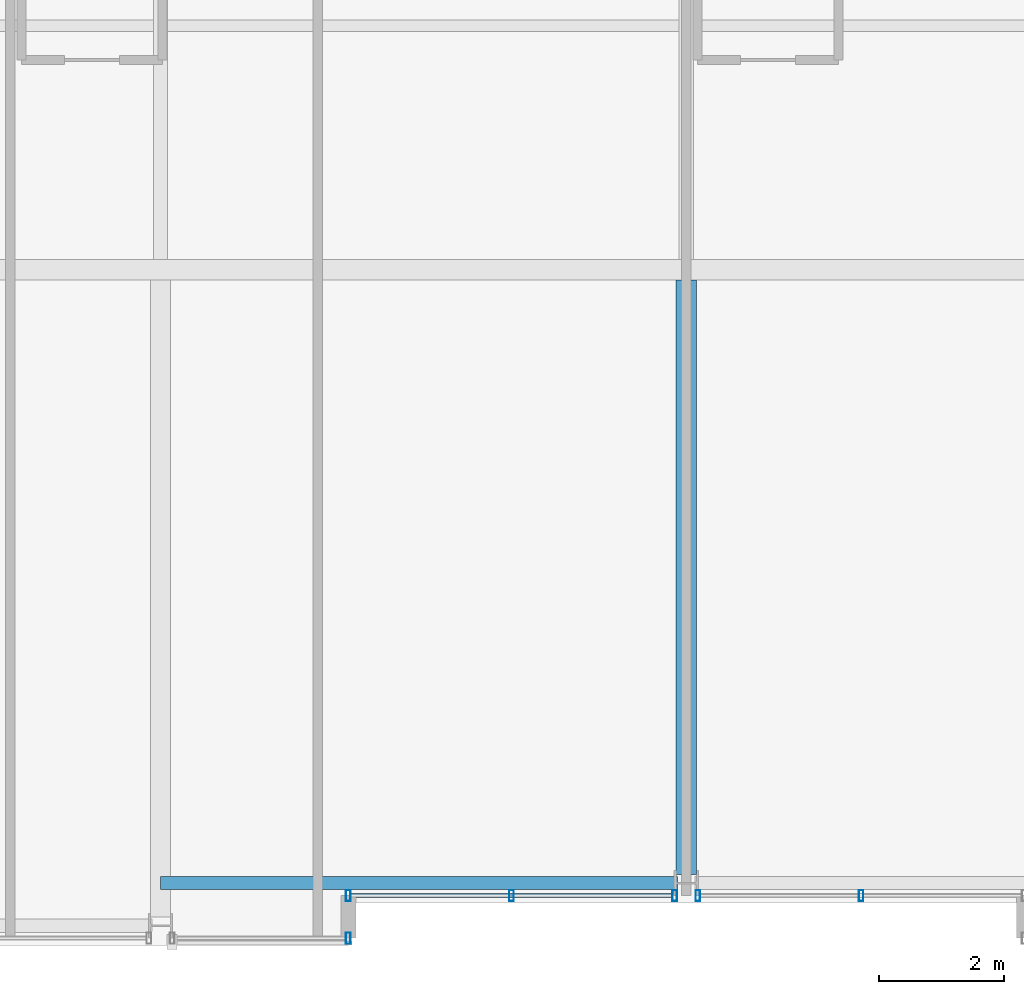
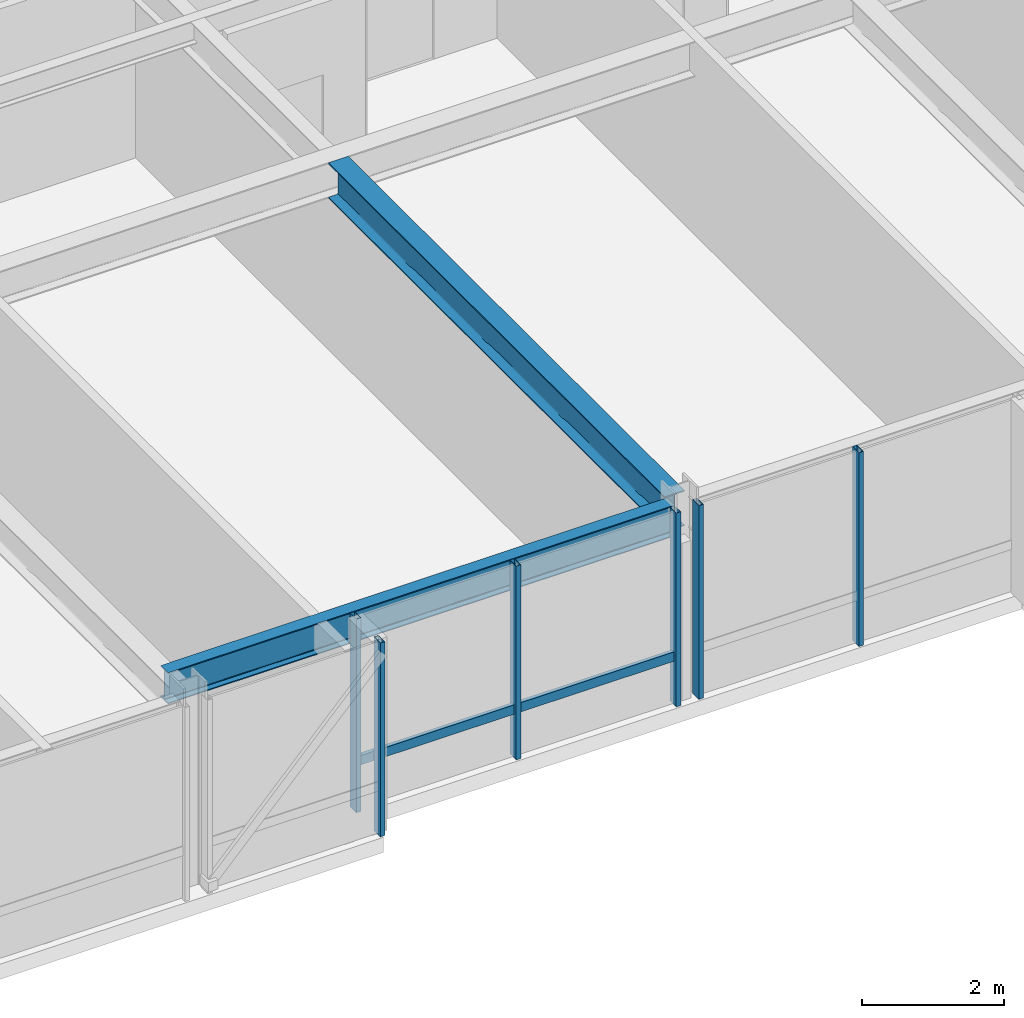
# One storey, part 6 of 34: 7 members, 2 beams, 3 elements without a shape of their own.
"""IFC4 building model written with IfcOpenShell, lengths in metres."""

from ifc_helpers import new_model, si_unit, direction, frame, origin, origin_2d, place, context, subcontext, project, spatial, hollow_rectangle, i_section, extrude, material, layer, layer_set, material_profile, profile_set, type_object, element, aggregate, save


model = new_model("IFC4")

# Units and contexts
model_context = context("Model", 3, precision=1e-05, world=origin(), true_north=direction((0.0, 1.0)))
body_context = subcontext(model_context, "Body", "Model", "MODEL_VIEW")
ifc_project = project(units=[si_unit("LENGTHUNIT", "METRE"), si_unit("AREAUNIT", "SQUARE_METRE"), si_unit("VOLUMEUNIT", "CUBIC_METRE"), si_unit("PLANEANGLEUNIT", "RADIAN"), si_unit("MASSUNIT", "GRAM", prefix="KILO")], contexts=[model_context])

# Site, building, storey
site_placement = place(None, origin())
site = spatial("IfcSite", under=ifc_project, at=site_placement, CompositionType="ELEMENT")
building_placement = place(site_placement, origin())
building = spatial("IfcBuilding", under=site, at=building_placement, Name="Drelvath Grand Hotel", CompositionType="ELEMENT")
storey_placement = place(building_placement, frame((0.0, 0.0, 208.699951171875)))
storey = spatial("IfcBuildingStorey", under=building, at=storey_placement, Name="L54", CompositionType="ELEMENT", Elevation=208.699951171875)

# Curtain wall, members
ifc_material_1 = material(Name="Platinum-Mist Anodised Aluminium Frame", Category="aluminium")
ifc_layer = layer(ifc_material_1, 0.199951171875)
ifc_layer_set = layer_set([ifc_layer], Name="Platinum-Mist Anodised Aluminium Frame")
curtain_wall_type = type_object("IfcCurtainWallType", Name="Stick Curtain Wall CW-05 Platinum Mist High-Rise", PredefinedType="NOTDEFINED", material=ifc_layer_set)
curtain_wall_1_placement = place(storey_placement, origin())
curtain_wall_1 = element("IfcCurtainWall", 1, at=curtain_wall_1_placement, inside=storey, type_object=curtain_wall_type, Name="L54 CW-05 Curtain Wall CW05-L54-SM1", PredefinedType="NOTDEFINED")
ifc_material_profile_1 = material_profile(ifc_material_1, hollow_rectangle(XDim=0.06494140625, YDim=0.159912109375, WallThickness=0.00390625, at=origin_2d()), Name="HSS160X65X4")
ifc_profile_set_1 = profile_set([ifc_material_profile_1], Name="Platinum-Mist Anodised Aluminium Frame")
member_type_1 = type_object("IfcMemberType", Name="Curtain Wall Horizontal Transom CW-05 HSS160X65X4", PredefinedType="USERDEFINED", material=ifc_profile_set_1)
member_1_placement = place(storey_placement, frame((-0.225341796875, 0.800048828125, 0.8349609375), z_axis=(-1.0, 0.0, 0.0), x_axis=(0.0, -1.0, 0.0)))
member_1 = element("IfcMember", 2, at=member_1_placement, type_object=member_type_1, Name="CW05-L54-SM1 Sill Transom", ObjectType="TRANSOM", PredefinedType="USERDEFINED", context=body_context, shape_type="SweptSolid", body=[
    extrude(hollow_rectangle(XDim=0.06494140625, YDim=0.159912109375, WallThickness=0.00390625, at=origin_2d()), origin(), (0.0, 0.0, 1.0), 5.134765625),
])
ifc_material_profile_2 = material_profile(ifc_material_1, hollow_rectangle(XDim=0.074951171875, YDim=0.179931640625, WallThickness=0.0048828125, at=origin_2d()), Name="HSS180X75X5")
ifc_profile_set_2 = profile_set([ifc_material_profile_2], Name="Platinum-Mist Anodised Aluminium Frame")
member_type_2 = type_object("IfcMemberType", Name="Curtain Wall Vertical Mullion CW-05 HSS180X75X5", PredefinedType="MULLION", material=ifc_profile_set_2)
member_2_placement = place(storey_placement, frame((-0.185302734375, 0.800048828125, 0.0), z_axis=(0.0, 0.0, 1.0), x_axis=(1.0, 0.0, 0.0)))
member_2 = element("IfcMember", 3, at=member_2_placement, type_object=member_type_2, Name="CW05-L54-SM1 Mullion 1", PredefinedType="MULLION", context=body_context, shape_type="SweptSolid", body=[
    extrude(hollow_rectangle(XDim=0.074951171875, YDim=0.179931640625, WallThickness=0.0048828125, at=origin_2d()), origin(), (0.0, 0.0, 1.0), 3.340087890625),
])
member_3_placement = place(storey_placement, frame((-2.792724609375, 0.800048828125, 0.0), z_axis=(0.0, 0.0, 1.0), x_axis=(1.0, 0.0, 0.0)))
member_3 = element("IfcMember", 4, at=member_3_placement, type_object=member_type_2, Name="CW05-L54-SM1 Mullion 2", PredefinedType="MULLION", context=body_context, shape_type="SweptSolid", body=[
    extrude(hollow_rectangle(XDim=0.074951171875, YDim=0.179931640625, WallThickness=0.0048828125, at=origin_2d()), origin(), (0.0, 0.0, 1.0), 3.340087890625),
])
member_4_placement = place(storey_placement, frame((-5.39990234375, 0.800048828125, 0.0), z_axis=(0.0, 0.0, 1.0), x_axis=(1.0, 0.0, 0.0)))
member_4 = element("IfcMember", 5, at=member_4_placement, type_object=member_type_2, Name="CW05-L54-SM1 Mullion 3", PredefinedType="MULLION", context=body_context, shape_type="SweptSolid", body=[
    extrude(hollow_rectangle(XDim=0.074951171875, YDim=0.179931640625, WallThickness=0.0048828125, at=origin_2d()), origin(), (0.0, 0.0, 1.0), 3.340087890625),
])
aggregate(curtain_wall_1, [member_2, member_3, member_4, member_1])

curtain_wall_2_placement = place(storey_placement, origin())
curtain_wall_2 = element("IfcCurtainWall", 6, at=curtain_wall_2_placement, inside=storey, type_object=curtain_wall_type, Name="L54 CW-05 Curtain Wall CW05-L54-SM2", PredefinedType="NOTDEFINED")
member_5_placement = place(storey_placement, frame((2.792724609375, 0.800048828125, 0.0), z_axis=(0.0, 0.0, 1.0), x_axis=(1.0, 0.0, 0.0)))
member_5 = element("IfcMember", 7, at=member_5_placement, type_object=member_type_2, Name="CW05-L54-SM2 Mullion 2", PredefinedType="MULLION", context=body_context, shape_type="SweptSolid", body=[
    extrude(hollow_rectangle(XDim=0.074951171875, YDim=0.179931640625, WallThickness=0.0048828125, at=origin_2d()), origin(), (0.0, 0.0, 1.0), 3.340087890625),
])
member_6_placement = place(storey_placement, frame((0.185302734375, 0.800048828125, 0.0), z_axis=(0.0, 0.0, 1.0), x_axis=(1.0, 0.0, 0.0)))
member_6 = element("IfcMember", 8, at=member_6_placement, type_object=member_type_2, Name="CW05-L54-SM2 Mullion 3", PredefinedType="MULLION", context=body_context, shape_type="SweptSolid", body=[
    extrude(hollow_rectangle(XDim=0.074951171875, YDim=0.179931640625, WallThickness=0.0048828125, at=origin_2d()), origin(), (0.0, 0.0, 1.0), 3.340087890625),
])
aggregate(curtain_wall_2, [member_5, member_6])

# Curtain wall, member
curtain_wall_3_placement = place(storey_placement, origin())
curtain_wall_3 = element("IfcCurtainWall", 9, at=curtain_wall_3_placement, inside=storey, type_object=curtain_wall_type, Name="L54 CW-05 Curtain Wall CW05-L54-SW3", PredefinedType="NOTDEFINED")
member_7_placement = place(storey_placement, frame((-5.39990234375, 0.1201171875, 0.0), z_axis=(0.0, 0.0, 1.0), x_axis=(1.0, 0.0, 0.0)))
member_7 = element("IfcMember", 10, at=member_7_placement, type_object=member_type_2, Name="CW05-L54-SW3 Mullion 1", PredefinedType="MULLION", context=body_context, shape_type="SweptSolid", body=[
    extrude(hollow_rectangle(XDim=0.074951171875, YDim=0.179931640625, WallThickness=0.0048828125, at=origin_2d()), origin(), (0.0, 0.0, 1.0), 3.340087890625),
])
aggregate(curtain_wall_3, [member_7])

# Beams
ifc_material_2 = material(Name="Steel ASTM A992 Gr 50", Category="steel")
ifc_material_profile_3 = material_profile(ifc_material_2, i_section(OverallWidth=0.210205078125, OverallDepth=0.53662109375, WebThickness=0.010986328125, FlangeThickness=0.017333984375, FilletRadius=0.01806640625, at=origin_2d()), Name="W21X68")
ifc_profile_set_3 = profile_set([ifc_material_profile_3], Name="Steel ASTM A992 Gr 50")
beam_type_1 = type_object("IfcBeamType", Name="Perimeter Spandrel Beam W21X68", PredefinedType="SPANDREL", material=ifc_profile_set_3)
beam_1_placement = place(storey_placement, frame((-8.39990234375, 1.0, 3.071533203125), z_axis=(1.0, 0.0, 0.0), x_axis=(0.0, 1.0, 0.0)))
element("IfcBeam", 11, at=beam_1_placement, inside=storey, type_object=beam_type_1, Name="L54 Spandrel South Mid W", PredefinedType="SPANDREL", context=body_context, shape_type="SweptSolid", body=[
    extrude(i_section(OverallWidth=0.210205078125, OverallDepth=0.53662109375, WebThickness=0.010986328125, FlangeThickness=0.017333984375, FilletRadius=0.01806640625, at=origin_2d()), origin(), (0.0, 0.0, 1.0), 8.260009765625),
])
ifc_material_profile_4 = material_profile(ifc_material_2, i_section(OverallWidth=0.323974609375, OverallDepth=0.611083984375, WebThickness=0.0126953125, FlangeThickness=0.01904296875, FilletRadius=0.02197265625, at=origin_2d()), Name="W24X104")
ifc_profile_set_4 = profile_set([ifc_material_profile_4], Name="Steel ASTM A992 Gr 50")
beam_type_2 = type_object("IfcBeamType", Name="Primary Floor Girder W24X104", PredefinedType="BEAM", material=ifc_profile_set_4)
beam_2_placement = place(storey_placement, frame((0.0, 1.139892578125, 3.034423828125), z_axis=(0.0, 1.0, 0.0), x_axis=(-1.0, 0.0, 0.0)))
element("IfcBeam", 12, at=beam_2_placement, inside=storey, type_object=beam_type_2, Name="L54 South Wing Girder 5", PredefinedType="BEAM", context=body_context, shape_type="SweptSolid", body=[
    extrude(i_section(OverallWidth=0.323974609375, OverallDepth=0.611083984375, WebThickness=0.0126953125, FlangeThickness=0.01904296875, FilletRadius=0.02197265625, at=origin_2d()), origin(), (0.0, 0.0, 1.0), 9.498046875),
])

save(model, "model.ifc")
